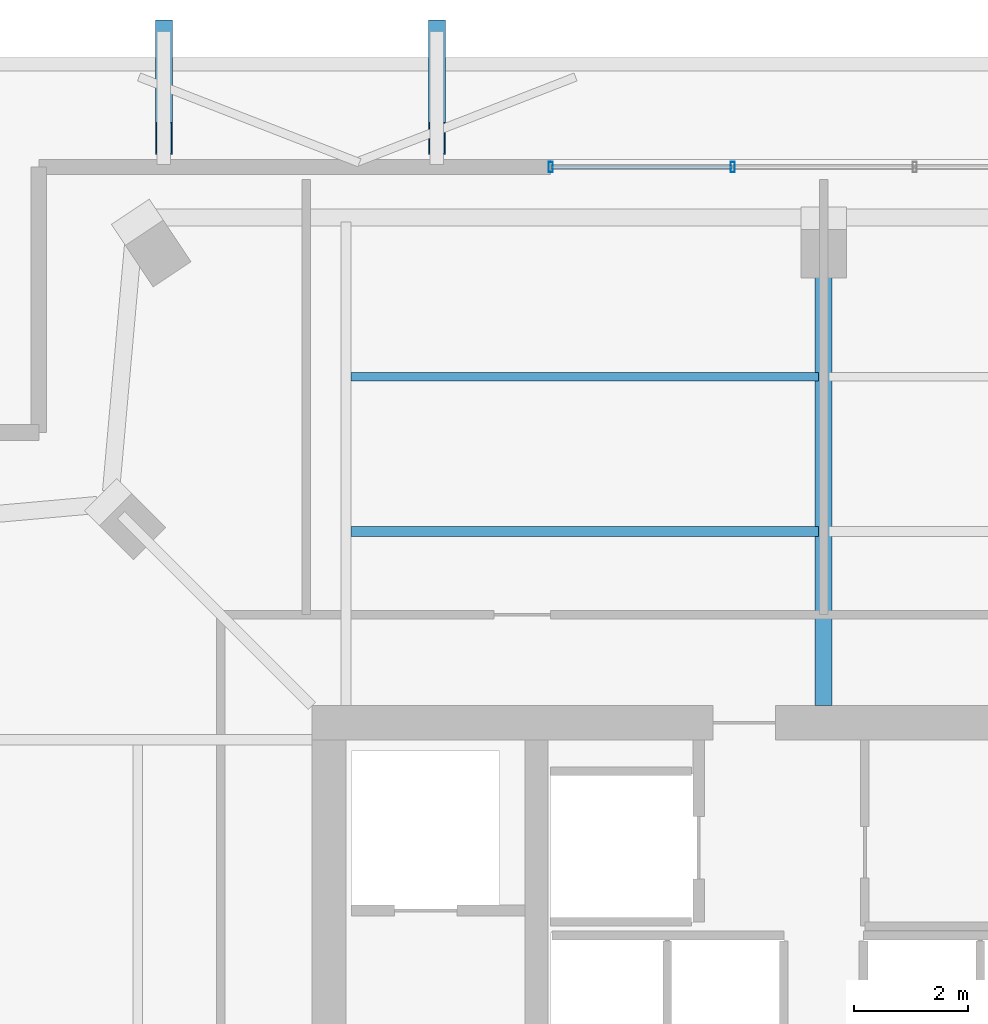
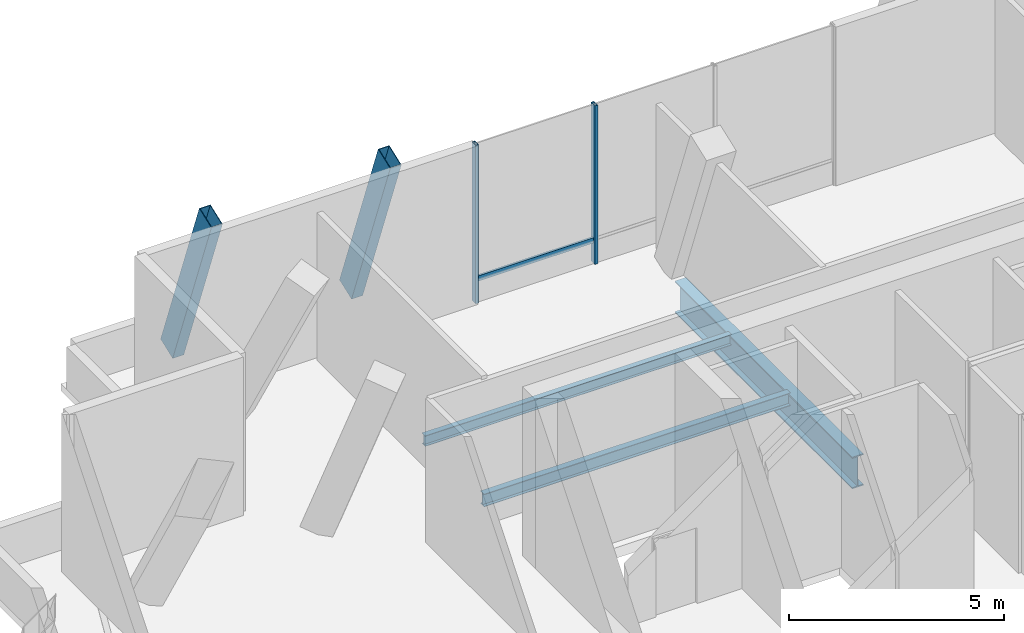
# One storey, part 13 of 18: 5 members, 3 beams, 1 element without a shape of its own.
"""IFC4 building model written with IfcOpenShell, lengths in metres."""

from ifc_helpers import new_model, si_unit, direction, frame, origin, origin_2d, place, context, subcontext, project, spatial, hollow_rectangle, i_section, extrude, material, layer, layer_set, material_profile, profile_set, type_object, element, aggregate, save


model = new_model("IFC4")

# Units and contexts
model_context = context("Model", 3, precision=1e-05, world=origin(), true_north=direction((0.0, 1.0)))
body_context = subcontext(model_context, "Body", "Model", "MODEL_VIEW")
ifc_project = project(units=[si_unit("LENGTHUNIT", "METRE"), si_unit("AREAUNIT", "SQUARE_METRE"), si_unit("VOLUMEUNIT", "CUBIC_METRE"), si_unit("PLANEANGLEUNIT", "RADIAN"), si_unit("MASSUNIT", "GRAM", prefix="KILO")], contexts=[model_context])

# Site, building, storey
site_placement = place(None, origin())
site = spatial("IfcSite", under=ifc_project, at=site_placement, CompositionType="ELEMENT")
building_placement = place(site_placement, origin())
building = spatial("IfcBuilding", under=site, at=building_placement, Name="Belovzor Exchange Tower", CompositionType="ELEMENT")
storey_placement = place(building_placement, frame((0.0, 0.0, 369.0)))
storey = spatial("IfcBuildingStorey", under=building, at=storey_placement, Name="L92", CompositionType="ELEMENT", Elevation=369.0)

# Beams
ifc_material_1 = material(Name="Steel S460", Category="steel")
ifc_material_profile_1 = material_profile(ifc_material_1, i_section(OverallWidth=0.300048828125, OverallDepth=0.89990234375, WebThickness=0.0185546875, FlangeThickness=0.034912109375, at=origin_2d()))
ifc_profile_set_1 = profile_set([ifc_material_profile_1], Name="Steel S460")
beam_type_1 = type_object("IfcBeamType", Name="Podium Radial Clear-Span Girder HEB 900", PredefinedType="BEAM", material=ifc_profile_set_1)
beam_1_placement = place(storey_placement, frame((28.800048828125, 37.800048828125, -0.75), z_axis=(0.0, 1.0, 0.0), x_axis=(-1.0, 0.0, 0.0)))
element("IfcBeam", 1, at=beam_1_placement, inside=storey, type_object=beam_type_1, Name="PG-2 Podium Radial Clear-Span Girder HEB 900", PredefinedType="BEAM", context=body_context, shape_type="SweptSolid", body=[
    extrude(i_section(OverallWidth=0.300048828125, OverallDepth=0.89990234375, WebThickness=0.0185546875, FlangeThickness=0.034912109375, at=origin_2d()), origin(), (0.0, 0.0, 1.0), 8.248046875),
])
ifc_material_2 = material(Name="Steel S355", Category="steel")
ifc_material_profile_2 = material_profile(ifc_material_2, i_section(OverallWidth=0.169921875, OverallDepth=0.360107421875, WebThickness=0.008056640625, FlangeThickness=0.0126953125, at=origin_2d()))
ifc_profile_set_2 = profile_set([ifc_material_profile_2], Name="Steel S355")
beam_type_2 = type_object("IfcBeamType", Name="Secondary Infill Floor Joist IPE 360", PredefinedType="BEAM", material=ifc_profile_set_2)
beam_2_placement = place(storey_placement, frame((20.489990234375, 40.862060546875, -0.47998046875), z_axis=(1.0, 0.0, 0.0), x_axis=(0.0, 1.0, 0.0)))
element("IfcBeam", 2, at=beam_2_placement, inside=storey, type_object=beam_type_2, Name="FJ-360 Secondary Infill Floor Joist IPE 360", PredefinedType="BEAM", context=body_context, shape_type="SweptSolid", body=[
    extrude(i_section(OverallWidth=0.169921875, OverallDepth=0.360107421875, WebThickness=0.008056640625, FlangeThickness=0.0126953125, at=origin_2d()), origin(), (0.0, 0.0, 1.0), 8.219970703125),
])
ifc_material_3 = material(Name="Steel S355", Category="steel")
ifc_material_profile_3 = material_profile(ifc_material_3, i_section(OverallWidth=0.14990234375, OverallDepth=0.300048828125, WebThickness=0.007080078125, FlangeThickness=0.0107421875, at=origin_2d()))
ifc_profile_set_3 = profile_set([ifc_material_profile_3], Name="Steel S355")
beam_type_3 = type_object("IfcBeamType", Name="Secondary Trim Floor Joist IPE 300", PredefinedType="BEAM", material=ifc_profile_set_3)
beam_3_placement = place(storey_placement, frame((20.489990234375, 43.5830078125, -0.449951171875), z_axis=(1.0, 0.0, 0.0), x_axis=(0.0, 1.0, 0.0)))
element("IfcBeam", 3, at=beam_3_placement, inside=storey, type_object=beam_type_3, Name="FJ-300 Secondary Trim Floor Joist IPE 300", PredefinedType="BEAM", context=body_context, shape_type="SweptSolid", body=[
    extrude(i_section(OverallWidth=0.14990234375, OverallDepth=0.300048828125, WebThickness=0.007080078125, FlangeThickness=0.0107421875, at=origin_2d()), origin(), (0.0, 0.0, 1.0), 8.219970703125),
])

# Curtain wall, members
ifc_material_4 = material(Name="Anodised Aluminium Framing", Category="aluminium")
ifc_layer = layer(ifc_material_4, 0.169921875)
ifc_layer_set = layer_set([ifc_layer], Name="Anodised Aluminium Framing")
curtain_wall_type = type_object("IfcCurtainWallType", Name="Stepped Crown Faceted Lantern Curtain Wall", PredefinedType="NOTDEFINED", material=ifc_layer_set)
curtain_wall_placement = place(storey_placement, origin())
curtain_wall = element("IfcCurtainWall", 4, at=curtain_wall_placement, inside=storey, type_object=curtain_wall_type, Name="CW6 Stepped Crown Faceted Lantern Curtain Wall L92", PredefinedType="NOTDEFINED")
ifc_material_5 = material(Name="Steel S355", Category="steel")
ifc_material_profile_4 = material_profile(ifc_material_5, hollow_rectangle(XDim=0.074951171875, YDim=0.179931640625, WallThickness=0.0048828125, at=origin_2d()))
ifc_profile_set_4 = profile_set([ifc_material_profile_4], Name="Steel S355")
member_type_1 = type_object("IfcMemberType", Name="Thermally Broken Curtain Wall Mullion 180x75", PredefinedType="MULLION", material=ifc_profile_set_4)
member_1_placement = place(storey_placement, frame((24.0, 47.27001953125, 0.0), z_axis=(0.0, 0.0, 1.0), x_axis=(1.0, 0.0, 0.0)))
member_1 = element("IfcMember", 5, at=member_1_placement, type_object=member_type_1, Name="CW-M180 Curtain Wall Mullion 1", PredefinedType="MULLION", context=body_context, shape_type="SweptSolid", body=[
    extrude(hollow_rectangle(XDim=0.074951171875, YDim=0.179931640625, WallThickness=0.0048828125, at=origin_2d()), origin(), (0.0, 0.0, 1.0), 4.5),
])
member_2_placement = place(storey_placement, frame((27.199951171875, 47.27001953125, 0.0), z_axis=(0.0, 0.0, 1.0), x_axis=(1.0, 0.0, 0.0)))
member_2 = element("IfcMember", 6, at=member_2_placement, type_object=member_type_1, Name="CW-M180 Curtain Wall Mullion 2", PredefinedType="MULLION", context=body_context, shape_type="SweptSolid", body=[
    extrude(hollow_rectangle(XDim=0.074951171875, YDim=0.179931640625, WallThickness=0.0048828125, at=origin_2d()), origin(), (0.0, 0.0, 1.0), 4.5),
])
ifc_material_6 = material(Name="Steel S355", Category="steel")
ifc_material_profile_5 = material_profile(ifc_material_6, hollow_rectangle(XDim=0.06005859375, YDim=0.14990234375, WallThickness=0.00390625, at=origin_2d()))
ifc_profile_set_5 = profile_set([ifc_material_profile_5], Name="Steel S355")
member_type_2 = type_object("IfcMemberType", Name="Thermally Broken Curtain Wall Transom 150x60", PredefinedType="USERDEFINED", material=ifc_profile_set_5)
member_3_placement = place(storey_placement, frame((24.008056640625, 47.27001953125, 0.64990234375), z_axis=(1.0, 0.0, 0.0), x_axis=(0.0, 1.0, 0.0)))
member_3 = element("IfcMember", 7, at=member_3_placement, type_object=member_type_2, Name="CW-T150 Curtain Wall Transom 1", ObjectType="TRANSOM", PredefinedType="USERDEFINED", context=body_context, shape_type="SweptSolid", body=[
    extrude(hollow_rectangle(XDim=0.06005859375, YDim=0.14990234375, WallThickness=0.00390625, at=origin_2d()), origin(), (0.0, 0.0, 1.0), 3.183837890625),
])
aggregate(curtain_wall, [member_1, member_2, member_3])

# Members
ifc_material_7 = material(Name="Extruded Architectural Terracotta on Steel S355 Carrier", Category="masonry")
ifc_material_profile_6 = material_profile(ifc_material_7, hollow_rectangle(XDim=0.300048828125, YDim=0.60009765625, WallThickness=0.01611328125, at=origin_2d()))
ifc_profile_set_6 = profile_set([ifc_material_profile_6], Name="Extruded Architectural Terracotta on Steel S355 Carrier")
member_type_3 = type_object("IfcMemberType", Name="Upper Crown Terracotta Fin Assembly 550", PredefinedType="USERDEFINED", material=ifc_profile_set_6)
for number, where, z_axis, x_axis, name in (
    (8, (17.199951171875, 49.574951171875, -0.300048828125), (0.0, -0.351128660605, 0.936327220421), (1.0, 0.0, 0.0), "FIN-TC055 Terracotta Facade Fin L92 N1"),
    (9, (22.0, 49.574951171875, -0.300048828125), (0.0, -0.351128660605, 0.936327220421), (1.0, 0.0, 0.0), "FIN-TC055 Terracotta Facade Fin L92 N2"),
):
    element("IfcMember", number, at=place(storey_placement, frame(where, z_axis=z_axis, x_axis=x_axis)), inside=storey, type_object=member_type_3, Name=name, ObjectType="FIN", PredefinedType="USERDEFINED", context=body_context, shape_type="SweptSolid", body=[
        extrude(hollow_rectangle(XDim=0.300048828125, YDim=0.60009765625, WallThickness=0.01611328125, at=origin_2d()), origin(), (0.0, 0.0, 1.0), 5.12646484375),
    ])

save(model, "model.ifc")
